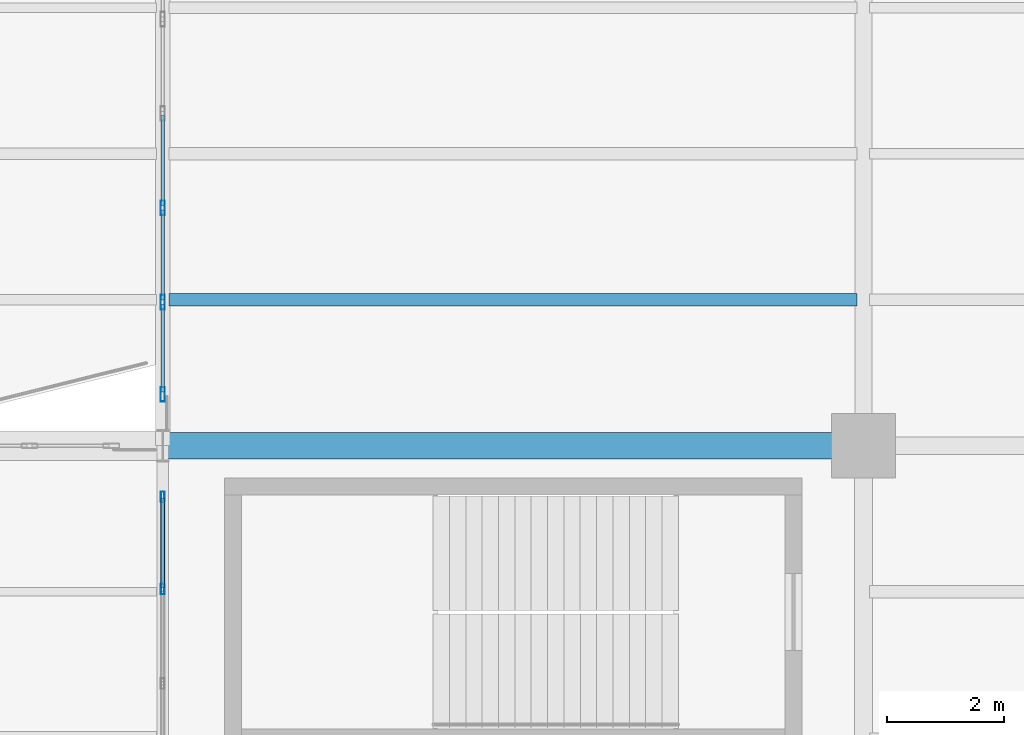
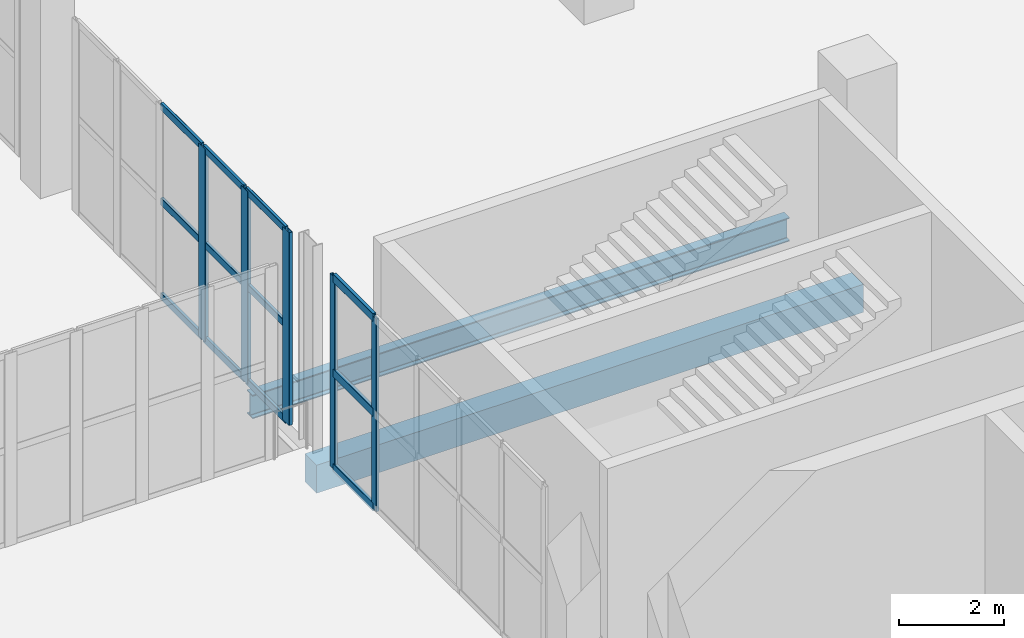
# One storey, part 35 of 136: 17 members, 2 beams, 2 elements without a shape of their own.
"""IFC4 building model written with IfcOpenShell, lengths in metres."""

from ifc_helpers import new_model, si_unit, direction, frame, origin, origin_2d, place, context, subcontext, project, spatial, rectangle, hollow_rectangle, i_section, extrude, material, layer, layer_set, material_profile, profile_set, type_object, element, aggregate, save


model = new_model("IFC4")

# Units and contexts
model_context = context("Model", 3, precision=1e-05, world=origin(), true_north=direction((0.0, 1.0)))
body_context = subcontext(model_context, "Body", "Model", "MODEL_VIEW")
ifc_project = project(units=[si_unit("LENGTHUNIT", "METRE"), si_unit("AREAUNIT", "SQUARE_METRE"), si_unit("VOLUMEUNIT", "CUBIC_METRE"), si_unit("PLANEANGLEUNIT", "RADIAN"), si_unit("MASSUNIT", "GRAM", prefix="KILO")], contexts=[model_context])

# Site, building, storey
site_placement = place(None, origin())
site = spatial("IfcSite", under=ifc_project, at=site_placement, CompositionType="ELEMENT")
building_placement = place(site_placement, origin())
building = spatial("IfcBuilding", under=site, at=building_placement, Name="Brinegate Civic Arena", CompositionType="ELEMENT")
storey_placement = place(building_placement, frame((0.0, 0.0, 5.39990234375)))
storey = spatial("IfcBuildingStorey", under=building, at=storey_placement, Name="L01", CompositionType="ELEMENT", Elevation=5.39990234375)

# Curtain wall, members
ifc_material_1 = material(Name="Marine grade aluminium", Category="aluminium")
ifc_layer = layer(ifc_material_1, 0.199951171875, Name="Marine grade aluminium")
ifc_layer_set = layer_set([ifc_layer], Name="Marine grade aluminium")
curtain_wall_type = type_object("IfcCurtainWallType", Name="CW-BOWL-GLAZED-01", PredefinedType="USERDEFINED", material=ifc_layer_set)
curtain_wall_1_placement = place(storey_placement, origin())
curtain_wall_1 = element("IfcCurtainWall", 1, at=curtain_wall_1_placement, inside=storey, type_object=curtain_wall_type, Name="Curtain Wall CWA-050", ObjectType="GLAZED CURTAIN WALL", PredefinedType="USERDEFINED")
ifc_material_profile_1 = material_profile(ifc_material_1, hollow_rectangle(XDim=0.06494140625, YDim=0.179931640625, WallThickness=0.0048828125, InnerFilletRadius=0.00390625, OuterFilletRadius=0.008056640625, at=origin_2d()), Name="MUL65X180")
ifc_profile_set_1 = profile_set([ifc_material_profile_1], Name="Marine grade aluminium")
member_type_1 = type_object("IfcMemberType", Name="CW-MULLION-65X180", PredefinedType="MULLION", material=ifc_profile_set_1)
member_1_placement = place(storey_placement, frame((48.0, 49.54248046875, 0.0), z_axis=(0.0, 0.0, 1.0), x_axis=(-1.0, 0.0, 0.0)))
member_1 = element("IfcMember", 2, at=member_1_placement, type_object=member_type_1, Name="CWA-050 mullion 5", PredefinedType="MULLION", context=body_context, shape_type="SweptSolid", body=[
    extrude(hollow_rectangle(XDim=0.06494140625, YDim=0.179931640625, WallThickness=0.0048828125, InnerFilletRadius=0.00390625, OuterFilletRadius=0.008056640625, at=origin_2d()), origin(), (0.0, 0.0, 1.0), 4.47021484375),
])
member_2_placement = place(storey_placement, frame((48.0, 51.12548828125, 0.0), z_axis=(0.0, 0.0, 1.0), x_axis=(-1.0, 0.0, 0.0)))
member_2 = element("IfcMember", 3, at=member_2_placement, type_object=member_type_1, Name="CWA-050 mullion 6", PredefinedType="MULLION", context=body_context, shape_type="SweptSolid", body=[
    extrude(hollow_rectangle(XDim=0.06494140625, YDim=0.179931640625, WallThickness=0.0048828125, InnerFilletRadius=0.00390625, OuterFilletRadius=0.008056640625, at=origin_2d()), origin(), (0.0, 0.0, 1.0), 4.47021484375),
])

curtain_wall_2_placement = place(storey_placement, origin())
curtain_wall_2 = element("IfcCurtainWall", 4, at=curtain_wall_2_placement, inside=storey, type_object=curtain_wall_type, Name="Curtain Wall CWA-052", ObjectType="GLAZED CURTAIN WALL", PredefinedType="USERDEFINED")
ifc_material_profile_2 = material_profile(ifc_material_1, hollow_rectangle(XDim=0.074951171875, YDim=0.25, WallThickness=0.006103515625, InnerFilletRadius=0.00390625, OuterFilletRadius=0.008056640625, at=origin_2d()), Name="MUL75X250")
ifc_profile_set_2 = profile_set([ifc_material_profile_2], Name="Marine grade aluminium")
member_type_2 = type_object("IfcMemberType", Name="CW-MULLION-75X250", PredefinedType="MULLION", material=ifc_profile_set_2)
member_3_placement = place(storey_placement, frame((48.0, 52.87939453125, 0.0), z_axis=(0.0, 0.0, 1.0), x_axis=(-1.0, 0.0, 0.0)))
member_3 = element("IfcMember", 5, at=member_3_placement, type_object=member_type_2, Name="CWA-052 mullion 1", PredefinedType="MULLION", context=body_context, shape_type="SweptSolid", body=[
    extrude(hollow_rectangle(XDim=0.074951171875, YDim=0.25, WallThickness=0.006103515625, InnerFilletRadius=0.00390625, OuterFilletRadius=0.008056640625, at=origin_2d()), origin(), (0.0, 0.0, 1.0), 4.47021484375),
])
member_4_placement = place(storey_placement, frame((48.0, 54.45751953125, 0.0), z_axis=(0.0, 0.0, 1.0), x_axis=(-1.0, 0.0, 0.0)))
member_4 = element("IfcMember", 6, at=member_4_placement, type_object=member_type_2, Name="CWA-052 mullion 2", PredefinedType="MULLION", context=body_context, shape_type="SweptSolid", body=[
    extrude(hollow_rectangle(XDim=0.074951171875, YDim=0.25, WallThickness=0.006103515625, InnerFilletRadius=0.00390625, OuterFilletRadius=0.008056640625, at=origin_2d()), origin(), (0.0, 0.0, 1.0), 4.47021484375),
])
member_5_placement = place(storey_placement, frame((48.0, 56.0732421875, 0.0), z_axis=(0.0, 0.0, 1.0), x_axis=(-1.0, 0.0, 0.0)))
member_5 = element("IfcMember", 7, at=member_5_placement, type_object=member_type_2, Name="CWA-052 mullion 3", PredefinedType="MULLION", context=body_context, shape_type="SweptSolid", body=[
    extrude(hollow_rectangle(XDim=0.074951171875, YDim=0.25, WallThickness=0.006103515625, InnerFilletRadius=0.00390625, OuterFilletRadius=0.008056640625, at=origin_2d()), origin(), (0.0, 0.0, 1.0), 4.47021484375),
])
ifc_material_profile_3 = material_profile(ifc_material_1, hollow_rectangle(XDim=0.06494140625, YDim=0.1650390625, WallThickness=0.0048828125, InnerFilletRadius=0.00390625, OuterFilletRadius=0.008056640625, at=origin_2d()), Name="TRN65X165")
ifc_profile_set_3 = profile_set([ifc_material_profile_3], Name="Marine grade aluminium")
member_type_3 = type_object("IfcMemberType", Name="CW-TRANSOM-65X165", PredefinedType="USERDEFINED", material=ifc_profile_set_3)
member_6_placement = place(storey_placement, frame((48.0, 52.9169921875, 0.03271484375), z_axis=(0.0, 1.0, 0.0), x_axis=(-1.0, 0.0, 0.0)))
member_6 = element("IfcMember", 8, at=member_6_placement, type_object=member_type_3, Name="CWA-052 transom 1.1", ObjectType="TRANSOM", PredefinedType="USERDEFINED", context=body_context, shape_type="SweptSolid", body=[
    extrude(hollow_rectangle(XDim=0.06494140625, YDim=0.1650390625, WallThickness=0.0048828125, InnerFilletRadius=0.00390625, OuterFilletRadius=0.008056640625, at=origin_2d()), origin(), (0.0, 0.0, 1.0), 1.503173828125),
])
member_7_placement = place(storey_placement, frame((48.0, 52.9169921875, 2.235107421875), z_axis=(0.0, 1.0, 0.0), x_axis=(-1.0, 0.0, 0.0)))
member_7 = element("IfcMember", 9, at=member_7_placement, type_object=member_type_3, Name="CWA-052 transom 1.2", ObjectType="TRANSOM", PredefinedType="USERDEFINED", context=body_context, shape_type="SweptSolid", body=[
    extrude(hollow_rectangle(XDim=0.06494140625, YDim=0.1650390625, WallThickness=0.0048828125, InnerFilletRadius=0.00390625, OuterFilletRadius=0.008056640625, at=origin_2d()), origin(), (0.0, 0.0, 1.0), 1.503173828125),
])
member_8_placement = place(storey_placement, frame((48.0, 52.9169921875, 4.4375), z_axis=(0.0, 1.0, 0.0), x_axis=(-1.0, 0.0, 0.0)))
member_8 = element("IfcMember", 10, at=member_8_placement, type_object=member_type_3, Name="CWA-052 transom 1.3", ObjectType="TRANSOM", PredefinedType="USERDEFINED", context=body_context, shape_type="SweptSolid", body=[
    extrude(hollow_rectangle(XDim=0.06494140625, YDim=0.1650390625, WallThickness=0.0048828125, InnerFilletRadius=0.00390625, OuterFilletRadius=0.008056640625, at=origin_2d()), origin(), (0.0, 0.0, 1.0), 1.503173828125),
])
member_9_placement = place(storey_placement, frame((48.0, 54.4951171875, 0.03271484375), z_axis=(0.0, 1.0, 0.0), x_axis=(-1.0, 0.0, 0.0)))
member_9 = element("IfcMember", 11, at=member_9_placement, type_object=member_type_3, Name="CWA-052 transom 2.1", ObjectType="TRANSOM", PredefinedType="USERDEFINED", context=body_context, shape_type="SweptSolid", body=[
    extrude(hollow_rectangle(XDim=0.06494140625, YDim=0.1650390625, WallThickness=0.0048828125, InnerFilletRadius=0.00390625, OuterFilletRadius=0.008056640625, at=origin_2d()), origin(), (0.0, 0.0, 1.0), 1.54052734375),
])
member_10_placement = place(storey_placement, frame((48.0, 54.4951171875, 2.235107421875), z_axis=(0.0, 1.0, 0.0), x_axis=(-1.0, 0.0, 0.0)))
member_10 = element("IfcMember", 12, at=member_10_placement, type_object=member_type_3, Name="CWA-052 transom 2.2", ObjectType="TRANSOM", PredefinedType="USERDEFINED", context=body_context, shape_type="SweptSolid", body=[
    extrude(hollow_rectangle(XDim=0.06494140625, YDim=0.1650390625, WallThickness=0.0048828125, InnerFilletRadius=0.00390625, OuterFilletRadius=0.008056640625, at=origin_2d()), origin(), (0.0, 0.0, 1.0), 1.54052734375),
])
member_11_placement = place(storey_placement, frame((48.0, 54.4951171875, 4.4375), z_axis=(0.0, 1.0, 0.0), x_axis=(-1.0, 0.0, 0.0)))
member_11 = element("IfcMember", 13, at=member_11_placement, type_object=member_type_3, Name="CWA-052 transom 2.3", ObjectType="TRANSOM", PredefinedType="USERDEFINED", context=body_context, shape_type="SweptSolid", body=[
    extrude(hollow_rectangle(XDim=0.06494140625, YDim=0.1650390625, WallThickness=0.0048828125, InnerFilletRadius=0.00390625, OuterFilletRadius=0.008056640625, at=origin_2d()), origin(), (0.0, 0.0, 1.0), 1.54052734375),
])
member_12_placement = place(storey_placement, frame((48.0, 56.110595703125, 0.03271484375), z_axis=(0.0, 1.0, 0.0), x_axis=(-1.0, 0.0, 0.0)))
member_12 = element("IfcMember", 14, at=member_12_placement, type_object=member_type_3, Name="CWA-052 transom 3.1", ObjectType="TRANSOM", PredefinedType="USERDEFINED", context=body_context, shape_type="SweptSolid", body=[
    extrude(hollow_rectangle(XDim=0.06494140625, YDim=0.1650390625, WallThickness=0.0048828125, InnerFilletRadius=0.00390625, OuterFilletRadius=0.008056640625, at=origin_2d()), origin(), (0.0, 0.0, 1.0), 1.540771484375),
])
member_13_placement = place(storey_placement, frame((48.0, 56.110595703125, 2.235107421875), z_axis=(0.0, 1.0, 0.0), x_axis=(-1.0, 0.0, 0.0)))
member_13 = element("IfcMember", 15, at=member_13_placement, type_object=member_type_3, Name="CWA-052 transom 3.2", ObjectType="TRANSOM", PredefinedType="USERDEFINED", context=body_context, shape_type="SweptSolid", body=[
    extrude(hollow_rectangle(XDim=0.06494140625, YDim=0.1650390625, WallThickness=0.0048828125, InnerFilletRadius=0.00390625, OuterFilletRadius=0.008056640625, at=origin_2d()), origin(), (0.0, 0.0, 1.0), 1.540771484375),
])
member_14_placement = place(storey_placement, frame((48.0, 56.110595703125, 4.4375), z_axis=(0.0, 1.0, 0.0), x_axis=(-1.0, 0.0, 0.0)))
member_14 = element("IfcMember", 16, at=member_14_placement, type_object=member_type_3, Name="CWA-052 transom 3.3", ObjectType="TRANSOM", PredefinedType="USERDEFINED", context=body_context, shape_type="SweptSolid", body=[
    extrude(hollow_rectangle(XDim=0.06494140625, YDim=0.1650390625, WallThickness=0.0048828125, InnerFilletRadius=0.00390625, OuterFilletRadius=0.008056640625, at=origin_2d()), origin(), (0.0, 0.0, 1.0), 1.540771484375),
])
aggregate(curtain_wall_2, [member_3, member_4, member_5, member_6, member_7, member_8, member_9, member_10, member_11, member_12, member_13, member_14])

# Member
ifc_material_profile_4 = material_profile(ifc_material_1, hollow_rectangle(XDim=0.074951171875, YDim=0.18994140625, WallThickness=0.006103515625, InnerFilletRadius=0.00390625, OuterFilletRadius=0.008056640625, at=origin_2d()), Name="TRN75X190")
ifc_profile_set_4 = profile_set([ifc_material_profile_4], Name="Marine grade aluminium")
member_type_4 = type_object("IfcMemberType", Name="CW-TRANSOM-75X190", PredefinedType="USERDEFINED", material=ifc_profile_set_4)
member_15_placement = place(storey_placement, frame((48.0, 49.574951171875, 0.03759765625), z_axis=(0.0, 1.0, 0.0), x_axis=(-1.0, 0.0, 0.0)))
member_15 = element("IfcMember", 17, at=member_15_placement, type_object=member_type_4, Name="CWA-050 transom 5.1", ObjectType="TRANSOM", PredefinedType="USERDEFINED", context=body_context, shape_type="SweptSolid", body=[
    extrude(hollow_rectangle(XDim=0.074951171875, YDim=0.18994140625, WallThickness=0.006103515625, InnerFilletRadius=0.00390625, OuterFilletRadius=0.008056640625, at=origin_2d()), origin(), (0.0, 0.0, 1.0), 1.51806640625),
])

member_16_placement = place(storey_placement, frame((48.0, 49.574951171875, 2.235107421875), z_axis=(0.0, 1.0, 0.0), x_axis=(-1.0, 0.0, 0.0)))
member_16 = element("IfcMember", 18, at=member_16_placement, type_object=member_type_4, Name="CWA-050 transom 5.2", ObjectType="TRANSOM", PredefinedType="USERDEFINED", context=body_context, shape_type="SweptSolid", body=[
    extrude(hollow_rectangle(XDim=0.074951171875, YDim=0.18994140625, WallThickness=0.006103515625, InnerFilletRadius=0.00390625, OuterFilletRadius=0.008056640625, at=origin_2d()), origin(), (0.0, 0.0, 1.0), 1.51806640625),
])

member_17_placement = place(storey_placement, frame((48.0, 49.574951171875, 4.4326171875), z_axis=(0.0, 1.0, 0.0), x_axis=(-1.0, 0.0, 0.0)))
member_17 = element("IfcMember", 19, at=member_17_placement, type_object=member_type_4, Name="CWA-050 transom 5.3", ObjectType="TRANSOM", PredefinedType="USERDEFINED", context=body_context, shape_type="SweptSolid", body=[
    extrude(hollow_rectangle(XDim=0.074951171875, YDim=0.18994140625, WallThickness=0.006103515625, InnerFilletRadius=0.00390625, OuterFilletRadius=0.008056640625, at=origin_2d()), origin(), (0.0, 0.0, 1.0), 1.51806640625),
])

aggregate(curtain_wall_1, [member_1, member_2, member_15, member_16, member_17])

# Beams
ifc_material_2 = material(Name="Steel S355", Category="steel")
ifc_material_profile_5 = material_profile(ifc_material_2, i_section(OverallWidth=0.214111328125, OverallDepth=0.549072265625, WebThickness=0.014892578125, FlangeThickness=0.02392578125, FilletRadius=0.01611328125, at=origin_2d()), Name="W530X138")
ifc_profile_set_5 = profile_set([ifc_material_profile_5], Name="Steel S355")
beam_type_1 = type_object("IfcBeamType", Name="JOIST-W530X138", PredefinedType="JOIST", material=ifc_profile_set_5)
beam_1_placement = place(storey_placement, frame((48.10595703125, 54.5, -0.614013671875), z_axis=(1.0, 0.0, 0.0), x_axis=(0.0, 1.0, 0.0)))
element("IfcBeam", 20, at=beam_1_placement, inside=storey, type_object=beam_type_1, Name="Secondary Joist BM-L01-JX-04-05-1", PredefinedType="JOIST", context=body_context, shape_type="SweptSolid", body=[
    extrude(i_section(OverallWidth=0.214111328125, OverallDepth=0.549072265625, WebThickness=0.014892578125, FlangeThickness=0.02392578125, FilletRadius=0.01611328125, at=origin_2d()), origin(), (0.0, 0.0, 1.0), 11.7880859375),
])
ifc_material_3 = material(Name="Concrete C50/60", Category="concrete")
ifc_material_profile_6 = material_profile(ifc_material_3, rectangle(XDim=0.449951171875, YDim=0.64990234375, at=origin_2d()), Name="RCB450X650")
ifc_profile_set_6 = profile_set([ifc_material_profile_6], Name="Concrete C50/60")
beam_type_2 = type_object("IfcBeamType", Name="RCG-450X650", PredefinedType="BEAM", material=ifc_profile_set_6)
beam_2_placement = place(storey_placement, frame((48.0, 52.0, -0.664794921875), z_axis=(1.0, 0.0, 0.0), x_axis=(0.0, 1.0, 0.0)))
element("IfcBeam", 21, at=beam_2_placement, inside=storey, type_object=beam_type_2, Name="Floor Girder BM-L01-GX-04-05", PredefinedType="BEAM", context=body_context, shape_type="SweptSolid", body=[
    extrude(rectangle(XDim=0.449951171875, YDim=0.64990234375, at=origin_2d()), origin(), (0.0, 0.0, 1.0), 12.0),
])

save(model, "model.ifc")
